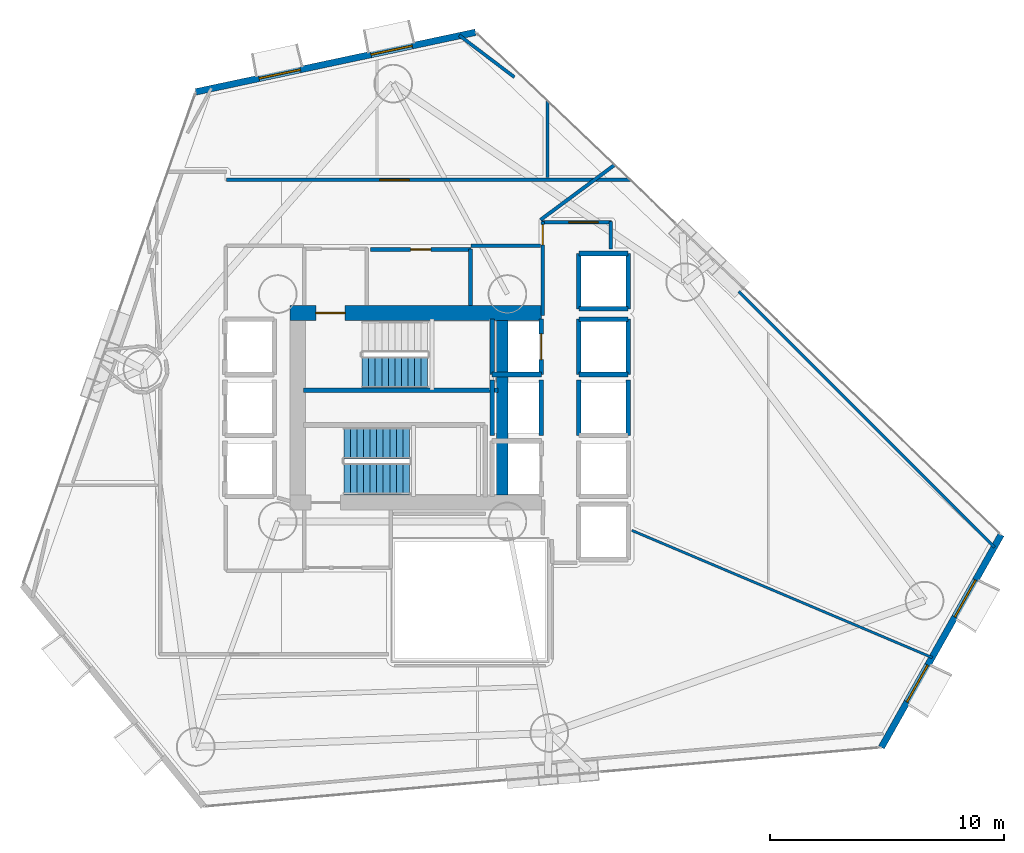
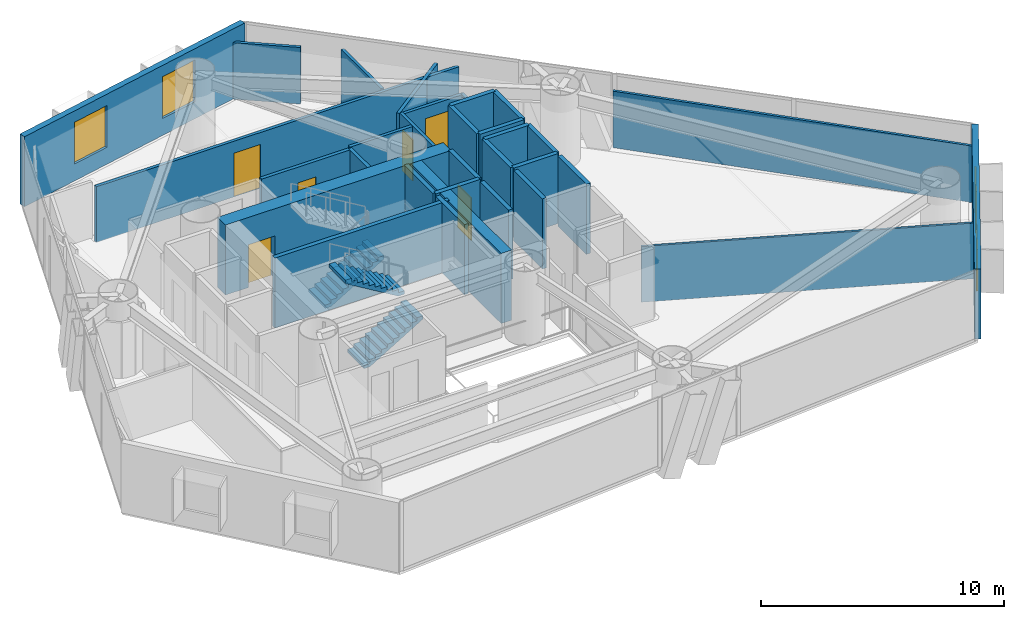
# One storey, part 19 of 23: 32 walls, 6 doors, 4 windows, 3 stair flights, 10 openings, 2 elements without a shape of their own.
"""IFC4 building model written with IfcOpenShell, lengths in metres."""

from ifc_helpers import new_model, si_unit, direction, frame, frame_2d, origin, place, context, subcontext, project, spatial, polyline, rectangle, outline, extrude, material, layer, layer_set, type_object, element, fill, aggregate, save


model = new_model("IFC4")

# Units and contexts
model_context = context("Model", 3, precision=1e-05, world=origin(), true_north=direction((0.0, 1.0)))
body_context = subcontext(model_context, "Body", "Model", "MODEL_VIEW")
ifc_project = project(units=[si_unit("LENGTHUNIT", "METRE"), si_unit("AREAUNIT", "SQUARE_METRE"), si_unit("VOLUMEUNIT", "CUBIC_METRE"), si_unit("PLANEANGLEUNIT", "RADIAN"), si_unit("MASSUNIT", "GRAM", prefix="KILO")], contexts=[model_context])

# Site, building, storey
site_placement = place(None, origin())
site = spatial("IfcSite", under=ifc_project, at=site_placement, CompositionType="ELEMENT")
building_placement = place(site_placement, origin())
building = spatial("IfcBuilding", under=site, at=building_placement, Name="Qianvela Tower", CompositionType="ELEMENT")
storey_placement = place(building_placement, frame((0.0, 0.0, 63.60009765625)))
storey = spatial("IfcBuildingStorey", under=building, at=storey_placement, Name="L15", CompositionType="ELEMENT", Elevation=63.60009765625)

# Wall, openings, windows
ifc_material_1 = material(Name="Terracotta Cladding on Concrete C40", Category="masonry")
ifc_layer_1 = layer(ifc_material_1, 0.280029296875)
ifc_layer_set_1 = layer_set([ifc_layer_1], Name="Terracotta Cladding on Concrete C40")
wall_type_1 = type_object("IfcWallType", Name="TERRACOTTA-WALL-280", PredefinedType="SOLIDWALL", material=ifc_layer_set_1)
wall_1_placement = place(storey_placement, frame((54.35888671875, 14.208740234375, 0.0), z_axis=(0.0, 0.0, 1.0), x_axis=(0.49065868632, 0.87135185404, 0.0)))
wall_1 = element("IfcWall", 1, at=wall_1_placement, inside=storey, type_object=wall_type_1, Name="L15 Terracotta Chamfer Facet Wall 1", PredefinedType="SOLIDWALL", context=body_context, shape_type="SweptSolid", body=[
    extrude(rectangle(XDim=10.410400390625, YDim=0.280029296875, at=frame_2d((5.205078125, 0.0))), origin(), (0.0, 0.0, 1.0), 3.52001953125),
])
opening_1_placement = place(wall_1_placement, frame((2.22314453125, 0.0, 0.85009765625)))
opening_1 = element("IfcOpeningElement", 2, at=opening_1_placement, cuts=wall_1, Name="Opening W-01", PredefinedType="OPENING", context=body_context, shape_type="SweptSolid", body=[
    extrude(rectangle(XDim=1.800048828125, YDim=2.10009765625, at=frame_2d((0.89990234375, 1.050048828125))), frame((0.0, 0.14990234375, 0.0), z_axis=(0.0, -1.0, 0.0), x_axis=(1.0, 0.0, 0.0)), (0.0, 0.0, 1.0), 0.300048828125),
])
opening_2_placement = place(wall_1_placement, frame((6.38720703125, 0.0, 0.85009765625)))
opening_2 = element("IfcOpeningElement", 3, at=opening_2_placement, cuts=wall_1, Name="Opening W-01", PredefinedType="OPENING", context=body_context, shape_type="SweptSolid", body=[
    extrude(rectangle(XDim=1.800048828125, YDim=2.10009765625, at=frame_2d((0.89990234375, 1.050048828125))), frame((0.0, 0.14990234375, 0.0), z_axis=(0.0, -1.0, 0.0), x_axis=(1.0, 0.0, 0.0)), (0.0, 0.0, 1.0), 0.300048828125),
])
ifc_material_2 = material(Name="Thermally Broken Aluminium and Low-E Glass", Category="aluminium")
window_type = type_object("IfcWindowType", Name="WIN-TC-1800x2100", PartitioningType="DOUBLE_PANEL_VERTICAL", PredefinedType="WINDOW", material=ifc_material_2)
window_1_placement = place(opening_1_placement, origin())
window_1 = element("IfcWindow", 4, at=window_1_placement, inside=storey, type_object=window_type, Name="L15 Chamfer Facet Window 1.1", OverallHeight=2.10009765625, OverallWidth=1.800048828125, PartitioningType="SINGLE_PANEL", PredefinedType="WINDOW", context=body_context, shape_type="SweptSolid", body=[
    extrude(rectangle(XDim=1.800048828125, YDim=2.10009765625, at=frame_2d((0.89990234375, 1.050048828125))), frame((0.0, 0.030029296875, 0.0), z_axis=(0.0, -1.0, 0.0), x_axis=(1.0, 0.0, 0.0)), (0.0, 0.0, 1.0), 0.06005859375),
])
fill(opening_1, window_1)
window_2_placement = place(opening_2_placement, origin())
window_2 = element("IfcWindow", 5, at=window_2_placement, inside=storey, type_object=window_type, Name="L15 Chamfer Facet Window 1.2", OverallHeight=2.10009765625, OverallWidth=1.800048828125, PartitioningType="SINGLE_PANEL", PredefinedType="WINDOW", context=body_context, shape_type="SweptSolid", body=[
    extrude(rectangle(XDim=1.800048828125, YDim=2.10009765625, at=frame_2d((0.89990234375, 1.050048828125))), frame((0.0, 0.030029296875, 0.0), z_axis=(0.0, -1.0, 0.0), x_axis=(1.0, 0.0, 0.0)), (0.0, 0.0, 1.0), 0.06005859375),
])
fill(opening_2, window_2)

wall_2_placement = place(storey_placement, frame((37.041748046875, 44.71923828125, 0.0), z_axis=(0.0, 0.0, 1.0), x_axis=(-0.978053480736, -0.208353998811, 0.0)))
wall_2 = element("IfcWall", 6, at=wall_2_placement, inside=storey, type_object=wall_type_1, Name="L15 Terracotta Chamfer Facet Wall 3", PredefinedType="SOLIDWALL", context=body_context, shape_type="SweptSolid", body=[
    extrude(rectangle(XDim=12.203857421875, YDim=0.280029296875, at=frame_2d((6.10205078125, 0.0))), origin(), (0.0, 0.0, 1.0), 3.52001953125),
])
opening_3_placement = place(wall_2_placement, frame((2.76123046875, 0.0, 0.85009765625)))
opening_3 = element("IfcOpeningElement", 7, at=opening_3_placement, cuts=wall_2, Name="Opening W-01", PredefinedType="OPENING", context=body_context, shape_type="SweptSolid", body=[
    extrude(rectangle(XDim=1.800048828125, YDim=2.10009765625, at=frame_2d((0.89990234375, 1.050048828125))), frame((0.0, 0.14990234375, 0.0), z_axis=(0.0, -1.0, 0.0), x_axis=(1.0, 0.0, 0.0)), (0.0, 0.0, 1.0), 0.300048828125),
])
opening_4_placement = place(wall_2_placement, frame((7.642822265625, 0.0, 0.85009765625)))
opening_4 = element("IfcOpeningElement", 8, at=opening_4_placement, cuts=wall_2, Name="Opening W-01", PredefinedType="OPENING", context=body_context, shape_type="SweptSolid", body=[
    extrude(rectangle(XDim=1.800048828125, YDim=2.10009765625, at=frame_2d((0.89990234375, 1.050048828125))), frame((0.0, 0.14990234375, 0.0), z_axis=(0.0, -1.0, 0.0), x_axis=(1.0, 0.0, 0.0)), (0.0, 0.0, 1.0), 0.300048828125),
])
window_3_placement = place(opening_3_placement, origin())
window_3 = element("IfcWindow", 9, at=window_3_placement, inside=storey, type_object=window_type, Name="L15 Chamfer Facet Window 3.1", OverallHeight=2.10009765625, OverallWidth=1.800048828125, PartitioningType="SINGLE_PANEL", PredefinedType="WINDOW", context=body_context, shape_type="SweptSolid", body=[
    extrude(rectangle(XDim=1.800048828125, YDim=2.10009765625, at=frame_2d((0.89990234375, 1.050048828125))), frame((0.0, 0.030029296875, 0.0), z_axis=(0.0, -1.0, 0.0), x_axis=(1.0, 0.0, 0.0)), (0.0, 0.0, 1.0), 0.06005859375),
])
fill(opening_3, window_3)
window_4_placement = place(opening_4_placement, origin())
window_4 = element("IfcWindow", 10, at=window_4_placement, inside=storey, type_object=window_type, Name="L15 Chamfer Facet Window 3.2", OverallHeight=2.10009765625, OverallWidth=1.800048828125, PartitioningType="SINGLE_PANEL", PredefinedType="WINDOW", context=body_context, shape_type="SweptSolid", body=[
    extrude(rectangle(XDim=1.800048828125, YDim=2.10009765625, at=frame_2d((0.89990234375, 1.050048828125))), frame((0.0, 0.030029296875, 0.0), z_axis=(0.0, -1.0, 0.0), x_axis=(1.0, 0.0, 0.0)), (0.0, 0.0, 1.0), 0.06005859375),
])
fill(opening_4, window_4)

# Wall, opening, door
ifc_material_3 = material(Name="Concrete C60", Category="concrete")
ifc_layer_2 = layer(ifc_material_3, 0.64990234375)
ifc_layer_set_2 = layer_set([ifc_layer_2], Name="Concrete C60")
wall_type_2 = type_object("IfcWallType", Name="WT-CORE-650", PredefinedType="SHEAR", material=ifc_layer_set_2)
wall_3_placement = place(storey_placement, frame((29.1298828125, 32.7451171875, 0.0), z_axis=(0.0, 0.0, 1.0), x_axis=(1.0, 0.0, 0.0)))
wall_3 = element("IfcWall", 11, at=wall_3_placement, inside=storey, type_object=wall_type_2, Name="L15 North Core Shear Wall", PredefinedType="SHEAR", context=body_context, shape_type="SweptSolid", body=[
    extrude(rectangle(XDim=10.72021484375, YDim=0.64990234375, at=frame_2d((5.360107421875, 0.0))), origin(), (0.0, 0.0, 1.0), 3.52001953125),
])
opening_5_placement = place(wall_3_placement, frame((1.094970703125, 0.0, 0.0)))
opening_5 = element("IfcOpeningElement", 12, at=opening_5_placement, cuts=wall_3, Name="Opening D-ST1", PredefinedType="OPENING", context=body_context, shape_type="SweptSolid", body=[
    extrude(rectangle(XDim=1.25, YDim=2.14990234375, at=frame_2d((0.625, 1.074951171875))), frame((0.0, 0.3349609375, 0.0), z_axis=(0.0, -1.0, 0.0), x_axis=(1.0, 0.0, 0.0)), (0.0, 0.0, 1.0), 0.669921875),
])
ifc_material_4 = material(Name="Galvanised Fire Steel Q355B", Category="steel")
door_type_1 = type_object("IfcDoorType", Name="DT-STAIR-FD90", OperationType="NOTDEFINED", PredefinedType="DOOR", material=ifc_material_4)
door_1_placement = place(opening_5_placement, origin())
door_1 = element("IfcDoor", 13, at=door_1_placement, inside=storey, type_object=door_type_1, Name="L15 Stair ST-1 Exit Door", OperationType="SINGLE_SWING_RIGHT", OverallHeight=2.14990234375, OverallWidth=1.25, PredefinedType="DOOR", context=body_context, shape_type="SweptSolid", body=[
    extrude(rectangle(XDim=1.25, YDim=2.14990234375, at=frame_2d((0.625, 1.074951171875))), frame((0.0, 0.02490234375, 0.0), z_axis=(0.0, -1.0, 0.0), x_axis=(1.0, 0.0, 0.0)), (0.0, 0.0, 1.0), 0.050048828125),
])
fill(opening_5, door_1)

# Wall
wall_4_placement = place(storey_placement, frame((38.179931640625, 24.97998046875, 0.0), z_axis=(0.0, 0.0, 1.0), x_axis=(0.0, 1.0, 0.0)))
element("IfcWall", 14, at=wall_4_placement, inside=storey, type_object=wall_type_2, Name="L15 East Spine Core Shear Wall", PredefinedType="SHEAR", context=body_context, shape_type="SweptSolid", body=[
    extrude(rectangle(XDim=7.43994140625, YDim=0.5, at=frame_2d((3.719970703125, 0.0))), origin(), (0.0, 0.0, 1.0), 3.52001953125),
])

# Wall, opening, door
ifc_material_5 = material(Name="Fire-Rated Acoustic Gypsum Board")
ifc_layer_3 = layer(ifc_material_5, 0.14990234375)
ifc_layer_set_3 = layer_set([ifc_layer_3], Name="Fire-Rated Acoustic Gypsum Board")
wall_type_3 = type_object("IfcWallType", Name="WT-CORR-150", PredefinedType="PARTITIONING", material=ifc_layer_set_3)
wall_5_placement = place(storey_placement, frame((39.910888671875, 32.639892578125, 0.0), z_axis=(0.0, 0.0, 1.0), x_axis=(0.0, 1.0, 0.0)))
wall_5 = element("IfcWall", 15, at=wall_5_placement, inside=storey, type_object=wall_type_3, Name="L15 Partition 10", PredefinedType="PARTITIONING", context=body_context, shape_type="SweptSolid", body=[
    extrude(rectangle(XDim=4.010009765625, YDim=0.14990234375, at=frame_2d((2.0048828125, 0.0))), origin(), (0.0, 0.0, 1.0), 2.83984375),
])
opening_6_placement = place(wall_5_placement, frame((3.010009765625, 0.0, 0.0)))
opening_6 = element("IfcOpeningElement", 16, at=opening_6_placement, cuts=wall_5, Name="Opening D-LB2", PredefinedType="OPENING", context=body_context, shape_type="SweptSolid", body=[
    extrude(rectangle(XDim=0.860107421875, YDim=2.050048828125, at=frame_2d((0.43017578125, 1.02490234375))), frame((0.0, 0.0849609375, 0.0), z_axis=(0.0, -1.0, 0.0), x_axis=(1.0, 0.0, 0.0)), (0.0, 0.0, 1.0), 0.169921875),
])
ifc_material_6 = material(Name="Insulated Steel Fire Door Q355B", Category="steel")
door_type_2 = type_object("IfcDoorType", Name="DT-LOBBY-FD90-860", OperationType="NOTDEFINED", PredefinedType="DOOR", material=ifc_material_6)
door_2_placement = place(opening_6_placement, origin())
door_2 = element("IfcDoor", 17, at=door_2_placement, inside=storey, type_object=door_type_2, Name="L15 Door L15 Lift Lobby to L15 Floor Corridor", OperationType="SINGLE_SWING_LEFT", OverallHeight=2.050048828125, OverallWidth=0.860107421875, PredefinedType="DOOR", context=body_context, shape_type="SweptSolid", body=[
    extrude(rectangle(XDim=0.860107421875, YDim=2.050048828125, at=frame_2d((0.43017578125, 1.02490234375))), frame((0.0, 0.02490234375, 0.0), z_axis=(0.0, -1.0, 0.0), x_axis=(1.0, 0.0, 0.0)), (0.0, 0.0, 1.0), 0.050048828125),
])
fill(opening_6, door_2)

wall_6_placement = place(storey_placement, frame((39.8798828125, 36.618896484375, 0.0), z_axis=(0.0, 0.0, 1.0), x_axis=(1.0, 0.0, 0.0)))
wall_6 = element("IfcWall", 18, at=wall_6_placement, inside=storey, type_object=wall_type_3, Name="L15 Partition 11", PredefinedType="PARTITIONING", context=body_context, shape_type="SweptSolid", body=[
    extrude(rectangle(XDim=2.97021484375, YDim=0.14990234375, at=frame_2d((1.485107421875, 0.0))), origin(), (0.0, 0.0, 1.0), 2.7978515625),
])
opening_7_placement = place(wall_6_placement, frame((1.139892578125, 0.0, 0.0)))
opening_7 = element("IfcOpeningElement", 19, at=opening_7_placement, cuts=wall_6, Name="Opening D-LG1", PredefinedType="OPENING", context=body_context, shape_type="SweptSolid", body=[
    extrude(rectangle(XDim=1.25, YDim=2.199951171875, at=frame_2d((0.625, 1.10009765625))), frame((0.0, 0.0849609375, 0.0), z_axis=(0.0, -1.0, 0.0), x_axis=(1.0, 0.0, 0.0)), (0.0, 0.0, 1.0), 0.169921875),
])
ifc_material_7 = material(Name="Anodised Aluminium Acoustic Glass Door", Category="aluminium")
door_type_3 = type_object("IfcDoorType", Name="DT-LOUNGE-1250", OperationType="NOTDEFINED", PredefinedType="DOOR", material=ifc_material_7)
door_3_placement = place(opening_7_placement, origin())
door_3 = element("IfcDoor", 20, at=door_3_placement, inside=storey, type_object=door_type_3, Name="L15 Door Maker Craft Workshop L15-02 to L15 Lift Lobby", OperationType="SINGLE_SWING_LEFT", OverallHeight=2.199951171875, OverallWidth=1.25, PredefinedType="DOOR", context=body_context, shape_type="SweptSolid", body=[
    extrude(rectangle(XDim=1.25, YDim=2.199951171875, at=frame_2d((0.625, 1.10009765625))), frame((0.0, 0.02490234375, 0.0), z_axis=(0.0, -1.0, 0.0), x_axis=(1.0, 0.0, 0.0)), (0.0, 0.0, 1.0), 0.050048828125),
])
fill(opening_7, door_3)

# Wall
wall_7_placement = place(storey_placement, frame((42.819091796875, 36.64990234375, 0.0), z_axis=(0.0, 0.0, 1.0), x_axis=(0.0, -1.0, 0.0)))
element("IfcWall", 21, at=wall_7_placement, inside=storey, type_object=wall_type_3, Name="L15 Partition 12", PredefinedType="PARTITIONING", context=body_context, shape_type="SweptSolid", body=[
    extrude(rectangle(XDim=1.169921875, YDim=0.14990234375, at=frame_2d((0.5849609375, 0.0))), origin(), (0.0, 0.0, 1.0), 2.7978515625),
])

# Wall, opening, door
wall_8_placement = place(storey_placement, frame((26.419921875, 38.4189453125, 0.0), z_axis=(0.0, 0.0, 1.0), x_axis=(1.0, 0.0, 0.0)))
wall_8 = element("IfcWall", 22, at=wall_8_placement, inside=storey, type_object=wall_type_3, Name="L15 Partition 38", PredefinedType="PARTITIONING", context=body_context, shape_type="SweptSolid", body=[
    extrude(rectangle(XDim=17.231689453125, YDim=0.14990234375, at=frame_2d((8.61572265625, 0.0))), origin(), (0.0, 0.0, 1.0), 2.7978515625),
])
opening_8_placement = place(wall_8_placement, frame((6.53515625, 0.0, 0.0)))
opening_8 = element("IfcOpeningElement", 23, at=opening_8_placement, cuts=wall_8, Name="Opening D-LG1", PredefinedType="OPENING", context=body_context, shape_type="SweptSolid", body=[
    extrude(rectangle(XDim=1.25, YDim=2.199951171875, at=frame_2d((0.625, 1.10009765625))), frame((0.0, 0.0849609375, 0.0), z_axis=(0.0, -1.0, 0.0), x_axis=(1.0, 0.0, 0.0)), (0.0, 0.0, 1.0), 0.169921875),
])
door_4_placement = place(opening_8_placement, origin())
door_4 = element("IfcDoor", 24, at=door_4_placement, inside=storey, type_object=door_type_3, Name="L15 Door Student Reading Library L15-03 to L15 Floor Corridor", OperationType="SINGLE_SWING_RIGHT", OverallHeight=2.199951171875, OverallWidth=1.25, PredefinedType="DOOR", context=body_context, shape_type="SweptSolid", body=[
    extrude(rectangle(XDim=1.25, YDim=2.199951171875, at=frame_2d((0.625, 1.10009765625))), frame((0.0, 0.02490234375, 0.0), z_axis=(0.0, -1.0, 0.0), x_axis=(1.0, 0.0, 0.0)), (0.0, 0.0, 1.0), 0.050048828125),
])
fill(opening_8, door_4)

# Walls
wall_9_placement = place(storey_placement, frame((42.982177734375, 39.067138671875, 0.0), z_axis=(0.0, 0.0, 1.0), x_axis=(-0.802826754864, -0.596212379672, 0.0)))
element("IfcWall", 25, at=wall_9_placement, inside=storey, type_object=wall_type_3, Name="L15 Partition 39", PredefinedType="PARTITIONING", context=body_context, shape_type="SweptSolid", body=[
    extrude(rectangle(XDim=3.946533203125, YDim=0.14990234375, at=frame_2d((1.97314453125, 0.0))), origin(), (0.0, 0.0, 1.0), 2.7978515625),
])
wall_10_placement = place(storey_placement, frame((39.818115234375, 35.611083984375, 0.0), z_axis=(0.0, 0.0, 1.0), x_axis=(-1.0, 0.0, 0.0)))
element("IfcWall", 26, at=wall_10_placement, inside=storey, type_object=wall_type_3, Name="L15 Partition 41 seg 1", PredefinedType="PARTITIONING", context=body_context, shape_type="SweptSolid", body=[
    extrude(rectangle(XDim=2.968017578125, YDim=0.14990234375, at=frame_2d((1.48388671875, 0.0))), origin(), (0.0, 0.0, 1.0), 2.83984375),
])
ifc_material_8 = material(Name="Lightweight Gypsum Room Partition")
ifc_layer_4 = layer(ifc_material_8, 0.10498046875)
ifc_layer_set_4 = layer_set([ifc_layer_4], Name="Lightweight Gypsum Room Partition")
wall_type_4 = type_object("IfcWallType", Name="WT-PART-105", PredefinedType="PARTITIONING", material=ifc_layer_set_4)
wall_11_placement = place(storey_placement, frame((43.709228515625, 23.465576171875, 0.0), z_axis=(0.0, 0.0, 1.0), x_axis=(0.920866828874, -0.389877267201, 0.0)))
element("IfcWall", 27, at=wall_11_placement, inside=storey, type_object=wall_type_4, Name="L15 Partition 61", PredefinedType="PARTITIONING", context=body_context, shape_type="SweptSolid", body=[
    extrude(rectangle(XDim=13.92919921875, YDim=0.10498046875, at=frame_2d((6.964599609375, 0.0))), origin(), (0.0, 0.0, 1.0), 2.7978515625),
])
ifc_material_9 = material(Name="Insulated Gypsum Stud Partition")
ifc_layer_5 = layer(ifc_material_9, 0.1201171875)
ifc_layer_set_5 = layer_set([ifc_layer_5], Name="Insulated Gypsum Stud Partition")
wall_type_5 = type_object("IfcWallType", Name="WT-PART-120", PredefinedType="PARTITIONING", material=ifc_layer_set_5)
wall_12_placement = place(storey_placement, frame((48.2646484375, 33.657470703125, 0.0), z_axis=(0.0, 0.0, 1.0), x_axis=(0.707604718476, -0.706608493008, 0.0)))
element("IfcWall", 28, at=wall_12_placement, inside=storey, type_object=wall_type_5, Name="L15 Partition 69 seg 2", PredefinedType="PARTITIONING", context=body_context, shape_type="SweptSolid", body=[
    extrude(rectangle(XDim=15.439208984375, YDim=0.1201171875, at=frame_2d((7.7197265625, 0.0))), origin(), (0.0, 0.0, 1.0), 2.83984375),
])

# Wall, opening, door
ifc_material_10 = material(Name="Sanitary Service Chase Partition")
ifc_layer_6 = layer(ifc_material_10, 0.1650390625)
ifc_layer_set_6 = layer_set([ifc_layer_6], Name="Sanitary Service Chase Partition")
wall_type_6 = type_object("IfcWallType", Name="WT-PLUMB-165", PredefinedType="PLUMBINGWALL", material=ifc_layer_set_6)
wall_13_placement = place(storey_placement, frame((32.550048828125, 35.448974609375, 0.0), z_axis=(0.0, 0.0, 1.0), x_axis=(1.0, 0.0, 0.0)))
wall_13 = element("IfcWall", 29, at=wall_13_placement, inside=storey, type_object=wall_type_6, Name="L15 Partition 20", PredefinedType="PLUMBINGWALL", context=body_context, shape_type="SweptSolid", body=[
    extrude(rectangle(XDim=4.300048828125, YDim=0.1650390625, at=frame_2d((2.14990234375, 0.0))), origin(), (0.0, 0.0, 1.0), 2.83984375),
])
opening_9_placement = place(wall_13_placement, frame((1.719970703125, 0.0, 0.0)))
opening_9 = element("IfcOpeningElement", 30, at=opening_9_placement, cuts=wall_13, Name="Opening D-WC1", PredefinedType="OPENING", context=body_context, shape_type="SweptSolid", body=[
    extrude(rectangle(XDim=0.860107421875, YDim=2.050048828125, at=frame_2d((0.43017578125, 1.02490234375))), frame((0.0, 0.092529296875, 0.0), z_axis=(0.0, -1.0, 0.0), x_axis=(1.0, 0.0, 0.0)), (0.0, 0.0, 1.0), 0.18505859375),
])
ifc_material_11 = material(Name="Moisture-Sealed Acoustic Timber Door", Category="wood")
door_type_4 = type_object("IfcDoorType", Name="DT-WC-860", OperationType="NOTDEFINED", PredefinedType="DOOR", material=ifc_material_11)
door_5_placement = place(opening_9_placement, origin())
door_5 = element("IfcDoor", 31, at=door_5_placement, inside=storey, type_object=door_type_4, Name="L15 Door L15 Accessible WC to L15 Floor Corridor", OperationType="SINGLE_SWING_RIGHT", OverallHeight=2.050048828125, OverallWidth=0.860107421875, PredefinedType="DOOR", context=body_context, shape_type="SweptSolid", body=[
    extrude(rectangle(XDim=0.860107421875, YDim=2.050048828125, at=frame_2d((0.43017578125, 1.02490234375))), frame((0.0, 0.02490234375, 0.0), z_axis=(0.0, -1.0, 0.0), x_axis=(1.0, 0.0, 0.0)), (0.0, 0.0, 1.0), 0.050048828125),
])
fill(opening_9, door_5)

# Walls
wall_14_placement = place(storey_placement, frame((36.819091796875, 35.47998046875, 0.0), z_axis=(0.0, 0.0, 1.0), x_axis=(0.0, -1.0, 0.0)))
element("IfcWall", 32, at=wall_14_placement, inside=storey, type_object=wall_type_6, Name="L15 Partition 21", PredefinedType="PLUMBINGWALL", context=body_context, shape_type="SweptSolid", body=[
    extrude(rectangle(XDim=2.421875, YDim=0.1650390625, at=frame_2d((1.2109375, 0.0))), origin(), (0.0, 0.0, 1.0), 2.83984375),
])
ifc_material_12 = material(Name="Acoustic Double Gypsum Stud Partition")
ifc_layer_7 = layer(ifc_material_12, 0.139892578125)
ifc_layer_set_7 = layer_set([ifc_layer_7], Name="Acoustic Double Gypsum Stud Partition")
wall_type_7 = type_object("IfcWallType", Name="WT-ROOM-140", PredefinedType="PARTITIONING", material=ifc_layer_set_7)
wall_15_placement = place(storey_placement, frame((40.11328125, 38.530029296875, 0.0), z_axis=(0.0, 0.0, 1.0), x_axis=(0.0, 1.0, 0.0)))
element("IfcWall", 33, at=wall_15_placement, inside=storey, type_object=wall_type_7, Name="L15 Partition 68", PredefinedType="PARTITIONING", context=body_context, shape_type="SweptSolid", body=[
    extrude(rectangle(XDim=3.272705078125, YDim=0.139892578125, at=frame_2d((1.63623046875, 0.0))), origin(), (0.0, 0.0, 1.0), 2.83984375),
])
wall_16_placement = place(storey_placement, frame((36.345703125, 44.587890625, 0.0), z_axis=(0.0, 0.0, 1.0), x_axis=(0.796790215154, -0.604256032684, 0.0)))
element("IfcWall", 34, at=wall_16_placement, inside=storey, type_object=wall_type_7, Name="L15 Partition 80 seg 1", PredefinedType="PARTITIONING", context=body_context, shape_type="SweptSolid", body=[
    extrude(rectangle(XDim=2.949462890625, YDim=0.139892578125, at=frame_2d((1.474609375, 0.0))), origin(), (0.0, 0.0, 1.0), 2.83984375),
])
ifc_material_13 = material(Name="Concrete C50", Category="concrete")
ifc_layer_8 = layer(ifc_material_13, 0.199951171875)
ifc_layer_set_8 = layer_set([ifc_layer_8], Name="Concrete C50")
wall_type_8 = type_object("IfcWallType", Name="WT-SHAFT-200", PredefinedType="SOLIDWALL", material=ifc_layer_set_8)
wall_17_placement = place(storey_placement, frame((29.699951171875, 29.449951171875, 0.0), z_axis=(0.0, 0.0, 1.0), x_axis=(1.0, 0.0, 0.0)))
element("IfcWall", 35, at=wall_17_placement, inside=storey, type_object=wall_type_8, Name="L15 Stair ST-1 South Wall", PredefinedType="SOLIDWALL", context=body_context, shape_type="SweptSolid", body=[
    extrude(rectangle(XDim=8.300048828125, YDim=0.199951171875, at=frame_2d((4.14990234375, 0.0))), origin(), (0.0, 0.0, 1.0), 3.52001953125),
])

# Wall, opening, door
wall_18_placement = place(storey_placement, frame((39.85009765625, 30.1201171875, 0.0), z_axis=(0.0, 0.0, 1.0), x_axis=(0.0, 1.0, 0.0)))
wall_18 = element("IfcWall", 36, at=wall_18_placement, inside=storey, type_object=wall_type_8, Name="L15 Lift FL-1 E Shaft Wall", PredefinedType="SOLIDWALL", context=body_context, shape_type="SweptSolid", body=[
    extrude(rectangle(XDim=2.35986328125, YDim=0.199951171875, at=frame_2d((1.179931640625, 0.0))), origin(), (0.0, 0.0, 1.0), 3.52001953125),
])
opening_10_placement = place(wall_18_placement, frame((0.6298828125, 0.0, 0.0)))
opening_10 = element("IfcOpeningElement", 37, at=opening_10_placement, cuts=wall_18, Name="Opening LD-01", PredefinedType="OPENING", context=body_context, shape_type="SweptSolid", body=[
    extrude(rectangle(XDim=1.10009765625, YDim=2.14990234375, at=frame_2d((0.550048828125, 1.074951171875))), frame((0.0, 0.10986328125, 0.0), z_axis=(0.0, -1.0, 0.0), x_axis=(1.0, 0.0, 0.0)), (0.0, 0.0, 1.0), 0.219970703125),
])
ifc_material_14 = material(Name="Brushed Stainless Steel Lift Landing Door", Category="steel")
door_type_5 = type_object("IfcDoorType", Name="DT-LIFT-SLIDE-1100", OperationType="SLIDING_TO_LEFT", PredefinedType="DOOR", material=ifc_material_14)
door_6_placement = place(opening_10_placement, origin())
door_6 = element("IfcDoor", 38, at=door_6_placement, inside=storey, type_object=door_type_5, Name="L15 Lift FL-1 Sliding Landing Door", OperationType="SLIDING_TO_LEFT", OverallHeight=2.14990234375, OverallWidth=1.10009765625, PredefinedType="DOOR", context=body_context, shape_type="SweptSolid", body=[
    extrude(rectangle(XDim=1.10009765625, YDim=2.14990234375, at=frame_2d((0.550048828125, 1.074951171875))), frame((0.0, 0.02490234375, 0.0), z_axis=(0.0, -1.0, 0.0), x_axis=(1.0, 0.0, 0.0)), (0.0, 0.0, 1.0), 0.050048828125),
])
fill(opening_10, door_6)

# Walls
wall_19_placement = place(storey_placement, frame((37.75, 30.1201171875, 0.0), z_axis=(0.0, 0.0, 1.0), x_axis=(0.0, 1.0, 0.0)))
element("IfcWall", 39, at=wall_19_placement, inside=storey, type_object=wall_type_8, Name="L15 Lift FL-1 W Shaft Wall", PredefinedType="SOLIDWALL", context=body_context, shape_type="SweptSolid", body=[
    extrude(rectangle(XDim=2.35986328125, YDim=0.199951171875, at=frame_2d((1.179931640625, 0.0))), origin(), (0.0, 0.0, 1.0), 3.52001953125),
])
wall_20_placement = place(storey_placement, frame((37.75, 30.1201171875, 0.0), z_axis=(0.0, 0.0, 1.0), x_axis=(1.0, 0.0, 0.0)))
element("IfcWall", 40, at=wall_20_placement, inside=storey, type_object=wall_type_8, Name="L15 Lift FL-1 S Shaft Wall", PredefinedType="SOLIDWALL", context=body_context, shape_type="SweptSolid", body=[
    extrude(rectangle(XDim=2.10009765625, YDim=0.199951171875, at=frame_2d((1.050048828125, 0.0))), origin(), (0.0, 0.0, 1.0), 3.52001953125),
])
for number, where, z_axis, x_axis, name in (
    (41, (43.550048828125, 30.1201171875, 0.0), (0.0, 0.0, 1.0), (0.0, 1.0, 0.0), "L15 Lift PL-M1 E Shaft Wall"),
    (42, (41.449951171875, 30.1201171875, 0.0), (0.0, 0.0, 1.0), (0.0, 1.0, 0.0), "L15 Lift PL-M1 W Shaft Wall"),
):
    element("IfcWall", number, at=place(storey_placement, frame(where, z_axis=z_axis, x_axis=x_axis)), inside=storey, type_object=wall_type_8, Name=name, PredefinedType="SOLIDWALL", context=body_context, shape_type="SweptSolid", body=[
        extrude(rectangle(XDim=2.35986328125, YDim=0.199951171875, at=frame_2d((1.179931640625, 0.0))), origin(), (0.0, 0.0, 1.0), 3.52001953125),
    ])
for number, where, z_axis, x_axis, name in (
    (43, (41.449951171875, 32.47998046875, 0.0), (0.0, 0.0, 1.0), (1.0, 0.0, 0.0), "L15 Lift PL-M1 N Shaft Wall"),
    (44, (41.449951171875, 30.1201171875, 0.0), (0.0, 0.0, 1.0), (1.0, 0.0, 0.0), "L15 Lift PL-M1 S Shaft Wall"),
):
    element("IfcWall", number, at=place(storey_placement, frame(where, z_axis=z_axis, x_axis=x_axis)), inside=storey, type_object=wall_type_8, Name=name, PredefinedType="SOLIDWALL", context=body_context, shape_type="SweptSolid", body=[
        extrude(rectangle(XDim=2.10009765625, YDim=0.199951171875, at=frame_2d((1.050048828125, 0.0))), origin(), (0.0, 0.0, 1.0), 3.52001953125),
    ])
for number, where, z_axis, x_axis, name in (
    (45, (43.550048828125, 27.52001953125, 0.0), (0.0, 0.0, 1.0), (0.0, 1.0, 0.0), "L15 Lift PL-M2 E Shaft Wall"),
    (46, (41.449951171875, 27.52001953125, 0.0), (0.0, 0.0, 1.0), (0.0, 1.0, 0.0), "L15 Lift PL-M2 W Shaft Wall"),
    (47, (39.85009765625, 27.52001953125, 0.0), (0.0, 0.0, 1.0), (0.0, 1.0, 0.0), "L15 Lift PL-H1 E Shaft Wall"),
    (48, (37.75, 27.52001953125, 0.0), (0.0, 0.0, 1.0), (0.0, 1.0, 0.0), "L15 Lift PL-H1 W Shaft Wall"),
):
    element("IfcWall", number, at=place(storey_placement, frame(where, z_axis=z_axis, x_axis=x_axis)), inside=storey, type_object=wall_type_8, Name=name, PredefinedType="SOLIDWALL", context=body_context, shape_type="SweptSolid", body=[
        extrude(rectangle(XDim=2.35986328125, YDim=0.199951171875, at=frame_2d((1.179931640625, 0.0))), origin(), (0.0, 0.0, 1.0), 3.52001953125),
    ])
for number, where, z_axis, x_axis, name in (
    (49, (43.550048828125, 32.919921875, 0.0), (0.0, 0.0, 1.0), (0.0, 1.0, 0.0), "L15 Lift PL-H3 E Shaft Wall"),
    (50, (41.449951171875, 32.919921875, 0.0), (0.0, 0.0, 1.0), (0.0, 1.0, 0.0), "L15 Lift PL-H3 W Shaft Wall"),
):
    element("IfcWall", number, at=place(storey_placement, frame(where, z_axis=z_axis, x_axis=x_axis)), inside=storey, type_object=wall_type_8, Name=name, PredefinedType="SOLIDWALL", context=body_context, shape_type="SweptSolid", body=[
        extrude(rectangle(XDim=2.360107421875, YDim=0.199951171875, at=frame_2d((1.18017578125, 0.0))), origin(), (0.0, 0.0, 1.0), 3.52001953125),
    ])
for number, where, z_axis, x_axis, name in (
    (51, (41.449951171875, 35.280029296875, 0.0), (0.0, 0.0, 1.0), (1.0, 0.0, 0.0), "L15 Lift PL-H3 N Shaft Wall"),
    (52, (41.449951171875, 32.919921875, 0.0), (0.0, 0.0, 1.0), (1.0, 0.0, 0.0), "L15 Lift PL-H3 S Shaft Wall"),
):
    element("IfcWall", number, at=place(storey_placement, frame(where, z_axis=z_axis, x_axis=x_axis)), inside=storey, type_object=wall_type_8, Name=name, PredefinedType="SOLIDWALL", context=body_context, shape_type="SweptSolid", body=[
        extrude(rectangle(XDim=2.10009765625, YDim=0.199951171875, at=frame_2d((1.050048828125, 0.0))), origin(), (0.0, 0.0, 1.0), 3.52001953125),
    ])

# Stair, stair flight
ifc_material_15 = material(Name="Concrete C40", Category="concrete")
stair_type = type_object("IfcStairType", Name="ST-DOGLEG-1350-R168-N22", PredefinedType="HALF_TURN_STAIR", material=ifc_material_15)
stair_1_placement = place(storey_placement, origin())
stair_1 = element("IfcStair", 53, at=stair_1_placement, inside=storey, type_object=stair_type, Name="L15 Smoke-Proof Core Stair ST-1", PredefinedType="HALF_TURN_STAIR")
ifc_material_16 = material(Name="Concrete C40", Category="concrete")
stair_flight_type = type_object("IfcStairFlightType", Name="STF-STRAIGHT-R168-P11", PredefinedType="STRAIGHT", material=ifc_material_16)
stair_flight_1_placement = place(storey_placement, frame((32.199951171875, 30.215087890625, 0.0), z_axis=(0.0, 0.0, 1.0), x_axis=(1.0, 0.0, 0.0)))
stair_flight_1 = element("IfcStairFlight", 54, at=stair_flight_1_placement, type_object=stair_flight_type, Name="ST-1 flight 1", NumberOfRisers=11, NumberOfTreads=10, PredefinedType="STRAIGHT", RiserHeight=0.168181818, TreadLength=0.28, context=body_context, shape_type="SweptSolid", body=[
    extrude(outline(polyline([(0.0, 0.0), (0.0, 0.168212890625), (0.280029296875, 0.168212890625), (0.280029296875, 0.33642578125), (0.56005859375, 0.33642578125), (0.56005859375, 0.504638671875), (0.840087890625, 0.504638671875), (0.840087890625, 0.672607421875), (1.1201171875, 0.672607421875), (1.1201171875, 0.8408203125), (1.39990234375, 0.8408203125), (1.39990234375, 1.009033203125), (1.679931640625, 1.009033203125), (1.679931640625, 1.17724609375), (1.9599609375, 1.17724609375), (1.9599609375, 1.345458984375), (2.239990234375, 1.345458984375), (2.239990234375, 1.513671875), (2.52001953125, 1.513671875), (2.52001953125, 1.681884765625), (2.800048828125, 1.681884765625), (2.800048828125, 1.85009765625), (2.800048828125, 1.5068359375), (0.291015625, 0.0), (0.0, 0.0)])), frame((0.0, 0.675048828125, 0.0), z_axis=(0.0, -1.0, 0.0), x_axis=(1.0, 0.0, 0.0)), (0.0, 0.0, 1.0), 1.35009765625),
])
aggregate(stair_1, [stair_flight_1])

# Stair, stair flights
stair_2_placement = place(storey_placement, origin())
stair_2 = element("IfcStair", 55, at=stair_2_placement, inside=storey, type_object=stair_type, Name="L15 Smoke-Proof Core Stair ST-2", PredefinedType="HALF_TURN_STAIR")
stair_flight_2_placement = place(storey_placement, frame((31.419921875, 25.675048828125, 0.0), z_axis=(0.0, 0.0, 1.0), x_axis=(1.0, 0.0, 0.0)))
stair_flight_2 = element("IfcStairFlight", 56, at=stair_flight_2_placement, type_object=stair_flight_type, Name="ST-2 flight 1", NumberOfRisers=11, NumberOfTreads=10, PredefinedType="STRAIGHT", RiserHeight=0.168181818, TreadLength=0.28, context=body_context, shape_type="SweptSolid", body=[
    extrude(outline(polyline([(0.0, 0.0), (0.0, 0.168212890625), (0.280029296875, 0.168212890625), (0.280029296875, 0.33642578125), (0.56005859375, 0.33642578125), (0.56005859375, 0.504638671875), (0.840087890625, 0.504638671875), (0.840087890625, 0.672607421875), (1.1201171875, 0.672607421875), (1.1201171875, 0.8408203125), (1.39990234375, 0.8408203125), (1.39990234375, 1.009033203125), (1.679931640625, 1.009033203125), (1.679931640625, 1.17724609375), (1.9599609375, 1.17724609375), (1.9599609375, 1.345458984375), (2.239990234375, 1.345458984375), (2.239990234375, 1.513671875), (2.52001953125, 1.513671875), (2.52001953125, 1.681884765625), (2.800048828125, 1.681884765625), (2.800048828125, 1.85009765625), (2.800048828125, 1.5068359375), (0.291015625, 0.0), (0.0, 0.0)])), frame((0.0, 0.675048828125, 0.0), z_axis=(0.0, -1.0, 0.0), x_axis=(1.0, 0.0, 0.0)), (0.0, 0.0, 1.0), 1.35009765625),
])
stair_flight_3_placement = place(storey_placement, frame((34.219970703125, 27.18505859375, 1.849853515625), z_axis=(0.0, 0.0, 1.0), x_axis=(-1.0, 0.0, 0.0)))
stair_flight_3 = element("IfcStairFlight", 57, at=stair_flight_3_placement, type_object=stair_flight_type, Name="ST-2 flight 2", NumberOfRisers=11, NumberOfTreads=10, PredefinedType="STRAIGHT", RiserHeight=0.168181818, TreadLength=0.28, context=body_context, shape_type="SweptSolid", body=[
    extrude(outline(polyline([(0.0, 0.0), (0.0, 0.168212890625), (0.280029296875, 0.168212890625), (0.280029296875, 0.33642578125), (0.56005859375, 0.33642578125), (0.56005859375, 0.504638671875), (0.840087890625, 0.504638671875), (0.840087890625, 0.672607421875), (1.1201171875, 0.672607421875), (1.1201171875, 0.8408203125), (1.39990234375, 0.8408203125), (1.39990234375, 1.009033203125), (1.679931640625, 1.009033203125), (1.679931640625, 1.17724609375), (1.9599609375, 1.17724609375), (1.9599609375, 1.345458984375), (2.239990234375, 1.345458984375), (2.239990234375, 1.513671875), (2.52001953125, 1.513671875), (2.52001953125, 1.681884765625), (2.800048828125, 1.681884765625), (2.800048828125, 1.85009765625), (2.800048828125, 1.5068359375), (0.291015625, 0.0), (0.0, 0.0)])), frame((0.0, 0.675048828125, 0.0), z_axis=(0.0, -1.0, 0.0), x_axis=(1.0, 0.0, 0.0)), (0.0, 0.0, 1.0), 1.35009765625),
])
aggregate(stair_2, [stair_flight_2, stair_flight_3])

save(model, "model.ifc")
